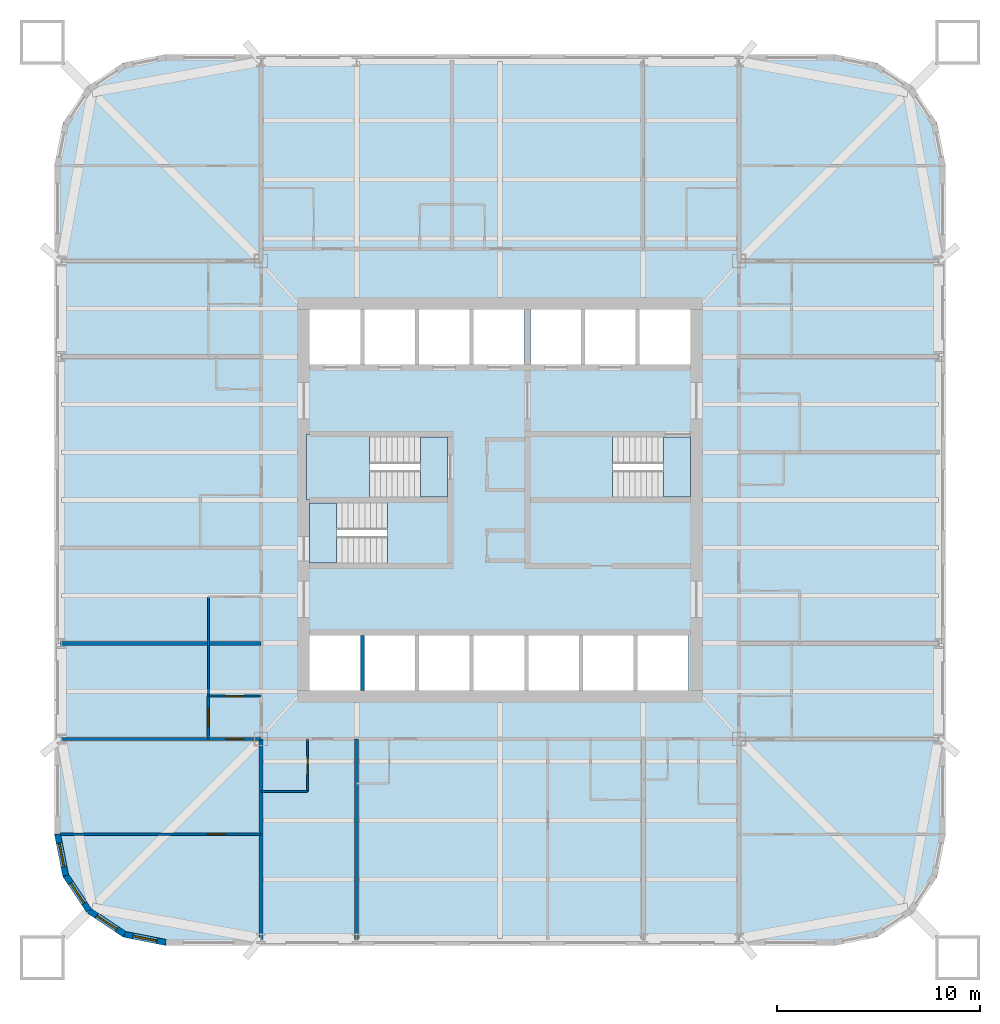
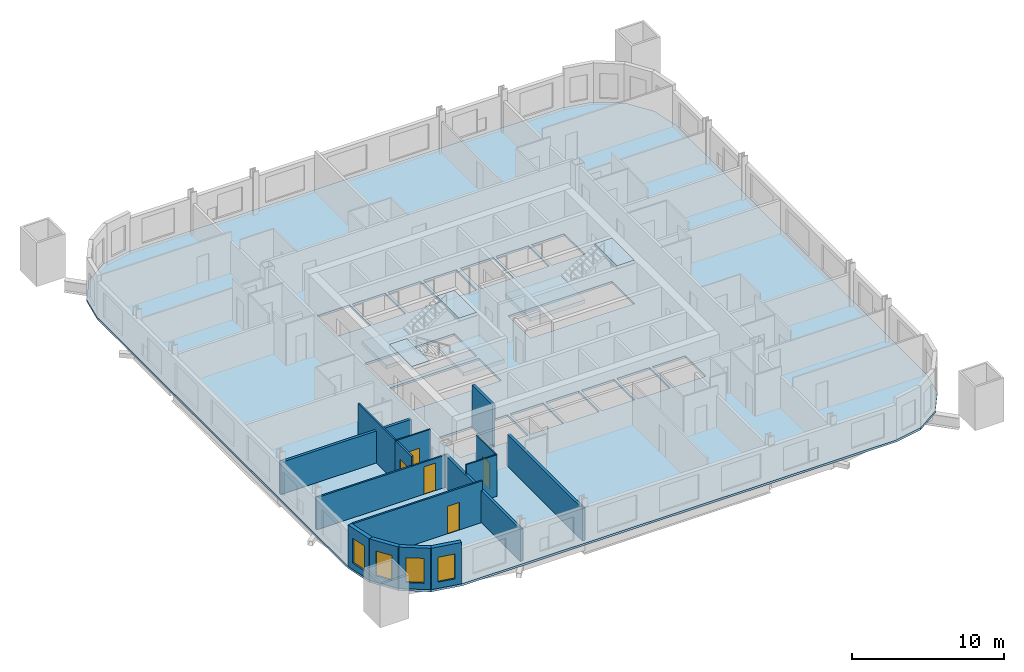
# One storey, part 2 of 10: 15 walls, 7 slabs, 5 doors, 4 windows, 9 openings, 3 elements without a shape of their own.
"""IFC4 building model written with IfcOpenShell, lengths in metres."""

from ifc_helpers import new_model, si_unit, direction, frame, frame_2d, origin, place, context, subcontext, project, spatial, polyline, rectangle, outline, extrude, material, layer, layer_set, type_object, element, fill, aggregate, save


model = new_model("IFC4")

# Units and contexts
model_context = context("Model", 3, precision=1e-05, world=origin(), true_north=direction((0.0, 1.0)))
body_context = subcontext(model_context, "Body", "Model", "MODEL_VIEW")
ifc_project = project(units=[si_unit("LENGTHUNIT", "METRE"), si_unit("AREAUNIT", "SQUARE_METRE"), si_unit("VOLUMEUNIT", "CUBIC_METRE"), si_unit("PLANEANGLEUNIT", "RADIAN"), si_unit("MASSUNIT", "GRAM", prefix="KILO")], contexts=[model_context])

# Site, building, storey
site_placement = place(None, origin())
site = spatial("IfcSite", under=ifc_project, at=site_placement, CompositionType="ELEMENT")
building_placement = place(site_placement, origin())
building = spatial("IfcBuilding", under=site, at=building_placement, Name="Turquesa Mirador Hotel Tower", CompositionType="ELEMENT")
storey_placement = place(building_placement, frame((0.0, 0.0, 39.0)))
storey = spatial("IfcBuildingStorey", under=building, at=storey_placement, Name="L09", CompositionType="ELEMENT", Elevation=39.0)

# Slab
ifc_material_1 = material(Name="Concrete C28/35", Category="concrete")
ifc_layer_1 = layer(ifc_material_1, 0.169921875)
ifc_layer_set_1 = layer_set([ifc_layer_1], Name="COMPOSITE FLOOR SLAB 170")
slab_type_1 = type_object("IfcSlabType", Name="COMPOSITE FLOOR SLAB 170", PredefinedType="FLOOR", material=ifc_layer_set_1)
slab_1_placement = place(storey_placement, frame((0.0, 0.0, -0.169921875)))
element("IfcSlab", 1, at=slab_1_placement, inside=storey, type_object=slab_type_1, Name="Floor slab L09", PredefinedType="FLOOR", context=body_context, shape_type="SweptSolid", body=[
    extrude(outline(polyline([(71.5, 23.0), (73.604736328125, 23.418701171875), (75.38916015625, 24.61083984375), (76.581298828125, 26.395263671875), (77.0, 28.5), (77.0, 61.5), (76.581298828125, 63.604736328125), (75.38916015625, 65.38916015625), (73.604736328125, 66.581298828125), (71.5, 67.0), (38.5, 67.0), (36.395263671875, 66.581298828125), (34.61083984375, 65.38916015625), (33.418701171875, 63.604736328125), (33.0, 61.5), (33.0, 28.5), (33.418701171875, 26.395263671875), (34.61083984375, 24.61083984375), (36.395263671875, 23.418701171875), (38.5, 23.0), (71.5, 23.0)]), holes=[polyline([(45.60009765625, 51.699951171875), (48.10009765625, 51.699951171875), (48.10009765625, 54.39990234375), (45.60009765625, 54.39990234375), (45.60009765625, 51.699951171875)]), polyline([(48.300048828125, 51.699951171875), (50.800048828125, 51.699951171875), (50.800048828125, 54.39990234375), (48.300048828125, 54.39990234375), (48.300048828125, 51.699951171875)]), polyline([(51.0, 51.699951171875), (53.5, 51.699951171875), (53.5, 54.39990234375), (51.0, 54.39990234375), (51.0, 51.699951171875)]), polyline([(53.699951171875, 51.699951171875), (56.199951171875, 51.699951171875), (56.199951171875, 54.39990234375), (53.699951171875, 54.39990234375), (53.699951171875, 51.699951171875)]), polyline([(56.5, 51.699951171875), (59.0, 51.699951171875), (59.0, 54.39990234375), (56.5, 54.39990234375), (56.5, 51.699951171875)]), polyline([(59.199951171875, 51.699951171875), (61.699951171875, 51.699951171875), (61.699951171875, 54.39990234375), (59.199951171875, 54.39990234375), (59.199951171875, 51.699951171875)]), polyline([(45.60009765625, 35.60009765625), (48.10009765625, 35.60009765625), (48.10009765625, 38.300048828125), (45.60009765625, 38.300048828125), (45.60009765625, 35.60009765625)]), polyline([(48.300048828125, 35.60009765625), (50.800048828125, 35.60009765625), (50.800048828125, 38.300048828125), (48.300048828125, 38.300048828125), (48.300048828125, 35.60009765625)]), polyline([(51.0, 35.60009765625), (53.5, 35.60009765625), (53.5, 38.300048828125), (51.0, 38.300048828125), (51.0, 35.60009765625)]), polyline([(53.699951171875, 35.60009765625), (56.199951171875, 35.60009765625), (56.199951171875, 38.300048828125), (53.699951171875, 38.300048828125), (53.699951171875, 35.60009765625)]), polyline([(56.39990234375, 35.60009765625), (58.89990234375, 35.60009765625), (58.89990234375, 38.300048828125), (56.39990234375, 38.300048828125), (56.39990234375, 35.60009765625)]), polyline([(59.10009765625, 35.60009765625), (61.60009765625, 35.60009765625), (61.60009765625, 38.300048828125), (59.10009765625, 38.300048828125), (59.10009765625, 35.60009765625)]), polyline([(61.800048828125, 35.60009765625), (64.300048828125, 35.60009765625), (64.300048828125, 38.300048828125), (61.800048828125, 38.300048828125), (61.800048828125, 35.60009765625)]), polyline([(45.60009765625, 45.14990234375), (52.39990234375, 45.14990234375), (52.39990234375, 48.10009765625), (45.60009765625, 48.10009765625), (45.60009765625, 45.14990234375)]), polyline([(45.60009765625, 41.89990234375), (52.39990234375, 41.89990234375), (52.39990234375, 44.85009765625), (45.60009765625, 44.85009765625), (45.60009765625, 41.89990234375)]), polyline([(56.5, 45.14990234375), (64.39990234375, 45.14990234375), (64.39990234375, 48.10009765625), (56.5, 48.10009765625), (56.5, 45.14990234375)]), polyline([(61.89990234375, 51.699951171875), (64.39990234375, 51.699951171875), (64.39990234375, 54.39990234375), (61.89990234375, 54.39990234375), (61.89990234375, 51.699951171875)])]), origin(), (0.0, 0.0, 1.0), 0.169921875),
])

# Stair, slabs
ifc_material_2 = material(Name="Concrete C35/45", Category="concrete")
stair_type = type_object("IfcStairType", Name="ESCAPE STAIR CORE", PredefinedType="HALF_TURN_STAIR", material=ifc_material_2)
stair_1_placement = place(storey_placement, origin())
stair_1 = element("IfcStair", 2, at=stair_1_placement, inside=storey, type_object=stair_type, Name="Stair ST1 L09 to L10", PredefinedType="HALF_TURN_STAIR")
ifc_material_3 = material(Name="Concrete C35/45", Category="concrete")
ifc_layer_2 = layer(ifc_material_3, 0.300048828125)
ifc_layer_set_2 = layer_set([ifc_layer_2], Name="STAIR LANDING 300")
slab_type_2 = type_object("IfcSlabType", Name="STAIR LANDING 300", PredefinedType="LANDING", material=ifc_layer_set_2)
slab_2_placement = place(storey_placement, frame((0.0, 0.0, 1.449951171875)))
slab_2 = element("IfcSlab", 3, at=slab_2_placement, type_object=slab_type_2, Name="ST1 landing 1", PredefinedType="LANDING", context=body_context, shape_type="SweptSolid", body=[
    extrude(outline(polyline([(45.449951171875, 45.0), (48.550048828125, 45.0), (48.550048828125, 48.25), (45.449951171875, 48.25), (45.449951171875, 45.0)])), origin(), (0.0, 0.0, 1.0), 0.300048828125),
])
slab_3_placement = place(storey_placement, frame((0.0, 0.0, 3.199951171875)))
slab_3 = element("IfcSlab", 4, at=slab_3_placement, type_object=slab_type_2, Name="ST1 landing 2", PredefinedType="LANDING", context=body_context, shape_type="SweptSolid", body=[
    extrude(outline(polyline([(51.070068359375, 45.14990234375), (52.39990234375, 45.14990234375), (52.39990234375, 48.10009765625), (51.070068359375, 48.10009765625), (51.070068359375, 45.14990234375)])), origin(), (0.0, 0.0, 1.0), 0.300048828125),
])
aggregate(stair_1, [slab_2, slab_3])

stair_2_placement = place(storey_placement, origin())
stair_2 = element("IfcStair", 5, at=stair_2_placement, inside=storey, type_object=stair_type, Name="Stair ST2 L09 to L10", PredefinedType="HALF_TURN_STAIR")
slab_4_placement = place(storey_placement, frame((0.0, 0.0, 1.449951171875)))
slab_4 = element("IfcSlab", 6, at=slab_4_placement, type_object=slab_type_2, Name="ST2 landing 1", PredefinedType="LANDING", context=body_context, shape_type="SweptSolid", body=[
    extrude(outline(polyline([(52.550048828125, 45.0), (49.449951171875, 45.0), (49.449951171875, 41.75), (52.550048828125, 41.75), (52.550048828125, 45.0)])), origin(), (0.0, 0.0, 1.0), 0.300048828125),
])
slab_5_placement = place(storey_placement, frame((0.0, 0.0, 3.199951171875)))
slab_5 = element("IfcSlab", 7, at=slab_5_placement, type_object=slab_type_2, Name="ST2 landing 2", PredefinedType="LANDING", context=body_context, shape_type="SweptSolid", body=[
    extrude(outline(polyline([(46.929931640625, 44.85009765625), (45.60009765625, 44.85009765625), (45.60009765625, 41.89990234375), (46.929931640625, 41.89990234375), (46.929931640625, 44.85009765625)])), origin(), (0.0, 0.0, 1.0), 0.300048828125),
])
aggregate(stair_2, [slab_4, slab_5])

stair_3_placement = place(storey_placement, origin())
stair_3 = element("IfcStair", 8, at=stair_3_placement, inside=storey, type_object=stair_type, Name="Stair ST3 L09 to L10", PredefinedType="HALF_TURN_STAIR")
slab_6_placement = place(storey_placement, frame((0.0, 0.0, 1.449951171875)))
slab_6 = element("IfcSlab", 9, at=slab_6_placement, type_object=slab_type_2, Name="ST3 landing 1", PredefinedType="LANDING", context=body_context, shape_type="SweptSolid", body=[
    extrude(outline(polyline([(56.35009765625, 45.0), (60.550048828125, 45.0), (60.550048828125, 48.25), (56.35009765625, 48.25), (56.35009765625, 45.0)])), origin(), (0.0, 0.0, 1.0), 0.300048828125),
])
slab_7_placement = place(storey_placement, frame((0.0, 0.0, 3.199951171875)))
slab_7 = element("IfcSlab", 10, at=slab_7_placement, type_object=slab_type_2, Name="ST3 landing 2", PredefinedType="LANDING", context=body_context, shape_type="SweptSolid", body=[
    extrude(outline(polyline([(63.070068359375, 45.14990234375), (64.39990234375, 45.14990234375), (64.39990234375, 48.10009765625), (63.070068359375, 48.10009765625), (63.070068359375, 45.14990234375)])), origin(), (0.0, 0.0, 1.0), 0.300048828125),
])
aggregate(stair_3, [slab_6, slab_7])

# Wall
ifc_material_4 = material(Name="Gypsum board on steel studs", Category="steel")
ifc_layer_3 = layer(ifc_material_4, 0.10009765625)
ifc_layer_set_3 = layer_set([ifc_layer_3], Name="BATHROOM WALL 100")
wall_type_1 = type_object("IfcWallType", Name="BATHROOM WALL 100", PredefinedType="PARTITIONING", material=ifc_layer_set_3)
wall_1_placement = place(storey_placement, frame((43.199951171875, 30.60009765625, 0.0), z_axis=(0.0, 0.0, 1.0), x_axis=(1.0, 0.0, 0.0)))
element("IfcWall", 11, at=wall_1_placement, inside=storey, type_object=wall_type_1, Name="Partition L09 006", PredefinedType="PARTITIONING", context=body_context, shape_type="SweptSolid", body=[
    extrude(rectangle(XDim=2.300048828125, YDim=0.10009765625, at=frame_2d((1.14990234375, 0.0))), origin(), (0.0, 0.0, 1.0), 3.330078125),
])

# Wall, opening, door
wall_2_placement = place(storey_placement, frame((40.60009765625, 35.320068359375, 0.0), z_axis=(0.0, 0.0, 1.0), x_axis=(1.0, 0.0, 0.0)))
wall_2 = element("IfcWall", 12, at=wall_2_placement, inside=storey, type_object=wall_type_1, Name="Partition L09 016", PredefinedType="PARTITIONING", context=body_context, shape_type="SweptSolid", body=[
    extrude(rectangle(XDim=2.599853515625, YDim=0.10009765625, at=frame_2d((1.2998046875, 0.0))), origin(), (0.0, 0.0, 1.0), 3.330078125),
])
opening_1_placement = place(wall_2_placement, frame((0.85009765625, 0.0, 0.0)))
opening_1 = element("IfcOpeningElement", 13, at=opening_1_placement, cuts=wall_2, Name="Opening D02", PredefinedType="OPENING", context=body_context, shape_type="SweptSolid", body=[
    extrude(rectangle(XDim=0.89990234375, YDim=2.10009765625, at=frame_2d((0.449951171875, 1.050048828125))), frame((0.0, 0.06005859375, 0.0), z_axis=(0.0, -1.0, 0.0), x_axis=(1.0, 0.0, 0.0)), (0.0, 0.0, 1.0), 0.1201171875),
])
ifc_material_5 = material(Name="Timber veneered door", Category="wood")
door_type_1 = type_object("IfcDoorType", Name="DOOR 900X2100 EN-SUITE", OperationType="SINGLE_SWING_RIGHT", PredefinedType="DOOR", material=ifc_material_5)
door_1_placement = place(opening_1_placement, origin())
door_1 = element("IfcDoor", 14, at=door_1_placement, inside=storey, type_object=door_type_1, Name="Door 0912B", OperationType="SINGLE_SWING_RIGHT", OverallHeight=2.10009765625, OverallWidth=0.89990234375, PredefinedType="DOOR", context=body_context, shape_type="SweptSolid", body=[
    extrude(rectangle(XDim=0.89990234375, YDim=2.10009765625, at=frame_2d((0.449951171875, 1.050048828125))), frame((0.0, 0.02490234375, 0.0), z_axis=(0.0, -1.0, 0.0), x_axis=(1.0, 0.0, 0.0)), (0.0, 0.0, 1.0), 0.050048828125),
])
fill(opening_1, door_1)

# Wall
wall_3_placement = place(storey_placement, frame((40.60009765625, 35.320068359375, 0.0), z_axis=(0.0, 0.0, 1.0), x_axis=(0.0, 1.0, 0.0)))
element("IfcWall", 15, at=wall_3_placement, inside=storey, type_object=wall_type_1, Name="Partition L09 041", PredefinedType="PARTITIONING", context=body_context, shape_type="SweptSolid", body=[
    extrude(rectangle(XDim=4.89990234375, YDim=0.10009765625, at=frame_2d((2.449951171875, 0.0))), origin(), (0.0, 0.0, 1.0), 3.330078125),
])

# Wall, opening, door
wall_4_placement = place(storey_placement, frame((45.5, 30.60009765625, 0.0), z_axis=(0.0, 0.0, 1.0), x_axis=(0.0, 1.0, 0.0)))
wall_4 = element("IfcWall", 16, at=wall_4_placement, inside=storey, type_object=wall_type_1, Name="Partition L09 051", PredefinedType="PARTITIONING", context=body_context, shape_type="SweptSolid", body=[
    extrude(rectangle(XDim=2.599853515625, YDim=0.10009765625, at=frame_2d((1.2998046875, 0.0))), origin(), (0.0, 0.0, 1.0), 3.330078125),
])
opening_2_placement = place(wall_4_placement, frame((0.85009765625, 0.0, 0.0)))
opening_2 = element("IfcOpeningElement", 17, at=opening_2_placement, cuts=wall_4, Name="Opening D02", PredefinedType="OPENING", context=body_context, shape_type="SweptSolid", body=[
    extrude(rectangle(XDim=0.89990234375, YDim=2.10009765625, at=frame_2d((0.449951171875, 1.050048828125))), frame((0.0, 0.06005859375, 0.0), z_axis=(0.0, -1.0, 0.0), x_axis=(1.0, 0.0, 0.0)), (0.0, 0.0, 1.0), 0.1201171875),
])
door_2_placement = place(opening_2_placement, origin())
door_2 = element("IfcDoor", 18, at=door_2_placement, inside=storey, type_object=door_type_1, Name="Door 0903B", OperationType="SINGLE_SWING_RIGHT", OverallHeight=2.10009765625, OverallWidth=0.89990234375, PredefinedType="DOOR", context=body_context, shape_type="SweptSolid", body=[
    extrude(rectangle(XDim=0.89990234375, YDim=2.10009765625, at=frame_2d((0.449951171875, 1.050048828125))), frame((0.0, 0.02490234375, 0.0), z_axis=(0.0, -1.0, 0.0), x_axis=(1.0, 0.0, 0.0)), (0.0, 0.0, 1.0), 0.050048828125),
])
fill(opening_2, door_2)

# Wall, opening, window
ifc_material_6 = material(Name="Limestone cladding on concrete block", Category="masonry")
ifc_layer_4 = layer(ifc_material_6, 0.300048828125)
ifc_layer_set_4 = layer_set([ifc_layer_4], Name="FACADE WALL 300 STONE SCREEN")
wall_type_2 = type_object("IfcWallType", Name="FACADE WALL 300 STONE SCREEN", PredefinedType="SOLIDWALL", material=ifc_layer_set_4)
wall_5_placement = place(storey_placement, frame((33.14990234375, 28.5, 0.0), z_axis=(0.0, 0.0, 1.0), x_axis=(0.195081421501, -0.980787050784, 0.0)))
wall_5 = element("IfcWall", 19, at=wall_5_placement, inside=storey, type_object=wall_type_2, Name="Facade wall L09 15", PredefinedType="SOLIDWALL", context=body_context, shape_type="SweptSolid", body=[
    extrude(rectangle(XDim=2.08740234375, YDim=0.300048828125, at=frame_2d((1.043701171875, 0.0))), origin(), (0.0, 0.0, 1.0), 3.330078125),
])
opening_3_placement = place(wall_5_placement, frame((0.443603515625, 0.0, 0.5)))
opening_3 = element("IfcOpeningElement", 20, at=opening_3_placement, cuts=wall_5, Name="Opening WN4", PredefinedType="OPENING", context=body_context, shape_type="SweptSolid", body=[
    extrude(rectangle(XDim=1.199951171875, YDim=2.0, at=frame_2d((0.60009765625, 1.0))), frame((0.0, 0.159912109375, 0.0), z_axis=(0.0, -1.0, 0.0), x_axis=(1.0, 0.0, 0.0)), (0.0, 0.0, 1.0), 0.320068359375),
])
ifc_material_7 = material(Name="Ceramic-fritted laminated glass", Category="glass")
window_type = type_object("IfcWindowType", Name="FRITTED CORNER WINDOW 1200X2000", PartitioningType="DOUBLE_PANEL_HORIZONTAL", PredefinedType="WINDOW", material=ifc_material_7)
window_1_placement = place(opening_3_placement, origin())
window_1 = element("IfcWindow", 21, at=window_1_placement, inside=storey, type_object=window_type, Name="Window L09", OverallHeight=2.0, OverallWidth=1.199951171875, PartitioningType="SINGLE_PANEL", PredefinedType="WINDOW", context=body_context, shape_type="SweptSolid", body=[
    extrude(rectangle(XDim=1.199951171875, YDim=2.0, at=frame_2d((0.60009765625, 1.0))), frame((0.0, 0.030029296875, 0.0), z_axis=(0.0, -1.0, 0.0), x_axis=(1.0, 0.0, 0.0)), (0.0, 0.0, 1.0), 0.06005859375),
])
fill(opening_3, window_1)

wall_6_placement = place(storey_placement, frame((33.55712890625, 26.45263671875, 0.0), z_axis=(0.0, 0.0, 1.0), x_axis=(0.555644460423, -0.831420010345, 0.0)))
wall_6 = element("IfcWall", 22, at=wall_6_placement, inside=storey, type_object=wall_type_2, Name="Facade wall L09 16", PredefinedType="SOLIDWALL", context=body_context, shape_type="SweptSolid", body=[
    extrude(rectangle(XDim=2.08740234375, YDim=0.300048828125, at=frame_2d((1.043701171875, 0.0))), origin(), (0.0, 0.0, 1.0), 3.330078125),
])
opening_4_placement = place(wall_6_placement, frame((0.443603515625, 0.0, 0.5)))
opening_4 = element("IfcOpeningElement", 23, at=opening_4_placement, cuts=wall_6, Name="Opening WN4", PredefinedType="OPENING", context=body_context, shape_type="SweptSolid", body=[
    extrude(rectangle(XDim=1.199951171875, YDim=2.0, at=frame_2d((0.60009765625, 1.0))), frame((0.0, 0.159912109375, 0.0), z_axis=(0.0, -1.0, 0.0), x_axis=(1.0, 0.0, 0.0)), (0.0, 0.0, 1.0), 0.320068359375),
])
window_2_placement = place(opening_4_placement, origin())
window_2 = element("IfcWindow", 24, at=window_2_placement, inside=storey, type_object=window_type, Name="Window L09", OverallHeight=2.0, OverallWidth=1.199951171875, PartitioningType="SINGLE_PANEL", PredefinedType="WINDOW", context=body_context, shape_type="SweptSolid", body=[
    extrude(rectangle(XDim=1.199951171875, YDim=2.0, at=frame_2d((0.60009765625, 1.0))), frame((0.0, 0.030029296875, 0.0), z_axis=(0.0, -1.0, 0.0), x_axis=(1.0, 0.0, 0.0)), (0.0, 0.0, 1.0), 0.06005859375),
])
fill(opening_4, window_2)

wall_7_placement = place(storey_placement, frame((34.717041015625, 24.717041015625, 0.0), z_axis=(0.0, 0.0, 1.0), x_axis=(0.831420010345, -0.555644460423, 0.0)))
wall_7 = element("IfcWall", 25, at=wall_7_placement, inside=storey, type_object=wall_type_2, Name="Facade wall L09 17", PredefinedType="SOLIDWALL", context=body_context, shape_type="SweptSolid", body=[
    extrude(rectangle(XDim=2.08740234375, YDim=0.300048828125, at=frame_2d((1.043701171875, 0.0))), origin(), (0.0, 0.0, 1.0), 3.330078125),
])
opening_5_placement = place(wall_7_placement, frame((0.443603515625, 0.0, 0.5)))
opening_5 = element("IfcOpeningElement", 26, at=opening_5_placement, cuts=wall_7, Name="Opening WN4", PredefinedType="OPENING", context=body_context, shape_type="SweptSolid", body=[
    extrude(rectangle(XDim=1.199951171875, YDim=2.0, at=frame_2d((0.60009765625, 1.0))), frame((0.0, 0.159912109375, 0.0), z_axis=(0.0, -1.0, 0.0), x_axis=(1.0, 0.0, 0.0)), (0.0, 0.0, 1.0), 0.320068359375),
])
window_3_placement = place(opening_5_placement, origin())
window_3 = element("IfcWindow", 27, at=window_3_placement, inside=storey, type_object=window_type, Name="Window L09", OverallHeight=2.0, OverallWidth=1.199951171875, PartitioningType="SINGLE_PANEL", PredefinedType="WINDOW", context=body_context, shape_type="SweptSolid", body=[
    extrude(rectangle(XDim=1.199951171875, YDim=2.0, at=frame_2d((0.60009765625, 1.0))), frame((0.0, 0.030029296875, 0.0), z_axis=(0.0, -1.0, 0.0), x_axis=(1.0, 0.0, 0.0)), (0.0, 0.0, 1.0), 0.06005859375),
])
fill(opening_5, window_3)

wall_8_placement = place(storey_placement, frame((36.45263671875, 23.55712890625, 0.0), z_axis=(0.0, 0.0, 1.0), x_axis=(0.980787050784, -0.195081421501, 0.0)))
wall_8 = element("IfcWall", 28, at=wall_8_placement, inside=storey, type_object=wall_type_2, Name="Facade wall L09 18", PredefinedType="SOLIDWALL", context=body_context, shape_type="SweptSolid", body=[
    extrude(rectangle(XDim=2.08740234375, YDim=0.300048828125, at=frame_2d((1.043701171875, 0.0))), origin(), (0.0, 0.0, 1.0), 3.330078125),
])
opening_6_placement = place(wall_8_placement, frame((0.443603515625, 0.0, 0.5)))
opening_6 = element("IfcOpeningElement", 29, at=opening_6_placement, cuts=wall_8, Name="Opening WN4", PredefinedType="OPENING", context=body_context, shape_type="SweptSolid", body=[
    extrude(rectangle(XDim=1.199951171875, YDim=2.0, at=frame_2d((0.60009765625, 1.0))), frame((0.0, 0.159912109375, 0.0), z_axis=(0.0, -1.0, 0.0), x_axis=(1.0, 0.0, 0.0)), (0.0, 0.0, 1.0), 0.320068359375),
])
window_4_placement = place(opening_6_placement, origin())
window_4 = element("IfcWindow", 30, at=window_4_placement, inside=storey, type_object=window_type, Name="Window L09", OverallHeight=2.0, OverallWidth=1.199951171875, PartitioningType="SINGLE_PANEL", PredefinedType="WINDOW", context=body_context, shape_type="SweptSolid", body=[
    extrude(rectangle(XDim=1.199951171875, YDim=2.0, at=frame_2d((0.60009765625, 1.0))), frame((0.0, 0.030029296875, 0.0), z_axis=(0.0, -1.0, 0.0), x_axis=(1.0, 0.0, 0.0)), (0.0, 0.0, 1.0), 0.06005859375),
])
fill(opening_6, window_4)

# Walls
ifc_material_8 = material(Name="Fire-rated gypsum shaft wall on steel studs", Category="steel")
ifc_layer_5 = layer(ifc_material_8, 0.199951171875)
ifc_layer_set_5 = layer_set([ifc_layer_5], Name="LIFT SHAFT DIVIDER 200")
wall_type_3 = type_object("IfcWallType", Name="LIFT SHAFT DIVIDER 200", PredefinedType="PARTITIONING", material=ifc_layer_set_5)
wall_9_placement = place(storey_placement, frame((48.199951171875, 35.60009765625, 0.0), z_axis=(0.0, 0.0, 1.0), x_axis=(0.0, 1.0, 0.0)))
element("IfcWall", 31, at=wall_9_placement, inside=storey, type_object=wall_type_3, Name="Lift shaft divider", PredefinedType="PARTITIONING", context=body_context, shape_type="SweptSolid", body=[
    extrude(rectangle(XDim=2.699951171875, YDim=0.199951171875, at=frame_2d((1.35009765625, 0.0))), origin(), (0.0, 0.0, 1.0), 3.330078125),
])
ifc_material_9 = material(Name="Fire-rated gypsum board on steel studs", Category="steel")
ifc_layer_6 = layer(ifc_material_9, 0.199951171875)
ifc_layer_set_6 = layer_set([ifc_layer_6], Name="PARTY WALL 200")
wall_type_4 = type_object("IfcWallType", Name="PARTY WALL 200", PredefinedType="PARTITIONING", material=ifc_layer_set_6)
for number, where, z_axis, x_axis, name in (
    (32, (33.300048828125, 37.919921875, 0.0), (0.0, 0.0, 1.0), (1.0, 0.0, 0.0), "Partition L09 014"),
    (33, (43.199951171875, 23.300048828125, 0.0), (0.0, 0.0, 1.0), (0.0, 1.0, 0.0), "Partition L09 038"),
    (34, (47.919921875, 23.300048828125, 0.0), (0.0, 0.0, 1.0), (0.0, 1.0, 0.0), "Partition L09 049"),
):
    element("IfcWall", number, at=place(storey_placement, frame(where, z_axis=z_axis, x_axis=x_axis)), inside=storey, type_object=wall_type_4, Name=name, PredefinedType="PARTITIONING", context=body_context, shape_type="SweptSolid", body=[
        extrude(rectangle(XDim=9.89990234375, YDim=0.199951171875, at=frame_2d((4.949951171875, 0.0))), origin(), (0.0, 0.0, 1.0), 2.572998046875),
    ])

# Wall, opening, door
ifc_material_10 = material(Name="Acoustic gypsum board on steel studs", Category="steel")
ifc_layer_7 = layer(ifc_material_10, 0.125)
ifc_layer_set_7 = layer_set([ifc_layer_7], Name="SUITE PARTITION 125")
wall_type_5 = type_object("IfcWallType", Name="SUITE PARTITION 125", PredefinedType="PARTITIONING", material=ifc_layer_set_7)
wall_10_placement = place(storey_placement, frame((33.300048828125, 33.199951171875, 0.0), z_axis=(0.0, 0.0, 1.0), x_axis=(1.0, 0.0, 0.0)))
wall_10 = element("IfcWall", 35, at=wall_10_placement, inside=storey, type_object=wall_type_5, Name="Partition L09 002", PredefinedType="PARTITIONING", context=body_context, shape_type="SweptSolid", body=[
    extrude(rectangle(XDim=9.89990234375, YDim=0.125, at=frame_2d((4.949951171875, 0.0))), origin(), (0.0, 0.0, 1.0), 2.572998046875),
])
opening_7_placement = place(wall_10_placement, frame((8.14990234375, 0.0, 0.0)))
opening_7 = element("IfcOpeningElement", 36, at=opening_7_placement, cuts=wall_10, Name="Opening D17", PredefinedType="OPENING", context=body_context, shape_type="SweptSolid", body=[
    extrude(rectangle(XDim=0.89990234375, YDim=2.199951171875, at=frame_2d((0.449951171875, 1.10009765625))), frame((0.0, 0.072509765625, 0.0), z_axis=(0.0, -1.0, 0.0), x_axis=(1.0, 0.0, 0.0)), (0.0, 0.0, 1.0), 0.14501953125),
])
ifc_material_11 = material(Name="Timber veneered door", Category="wood")
door_type_2 = type_object("IfcDoorType", Name="DOOR 900X2200 SUITE INTERNAL", OperationType="SINGLE_SWING_LEFT", PredefinedType="DOOR", material=ifc_material_11)
door_3_placement = place(opening_7_placement, origin())
door_3 = element("IfcDoor", 37, at=door_3_placement, inside=storey, type_object=door_type_2, Name="Door 0912", OperationType="SINGLE_SWING_LEFT", OverallHeight=2.199951171875, OverallWidth=0.89990234375, PredefinedType="DOOR", context=body_context, shape_type="SweptSolid", body=[
    extrude(rectangle(XDim=0.89990234375, YDim=2.199951171875, at=frame_2d((0.449951171875, 1.10009765625))), frame((0.0, 0.02490234375, 0.0), z_axis=(0.0, -1.0, 0.0), x_axis=(1.0, 0.0, 0.0)), (0.0, 0.0, 1.0), 0.050048828125),
])
fill(opening_7, door_3)

wall_11_placement = place(storey_placement, frame((33.305908203125, 28.5, 0.0), z_axis=(0.0, 0.0, 1.0), x_axis=(1.0, 0.0, 0.0)))
wall_11 = element("IfcWall", 38, at=wall_11_placement, inside=storey, type_object=wall_type_5, Name="Partition L09 009", PredefinedType="PARTITIONING", context=body_context, shape_type="SweptSolid", body=[
    extrude(rectangle(XDim=9.89404296875, YDim=0.125, at=frame_2d((4.947021484375, 0.0))), origin(), (0.0, 0.0, 1.0), 3.330078125),
])
opening_8_placement = place(wall_11_placement, frame((7.244140625, 0.0, 0.0)))
opening_8 = element("IfcOpeningElement", 39, at=opening_8_placement, cuts=wall_11, Name="Opening D17", PredefinedType="OPENING", context=body_context, shape_type="SweptSolid", body=[
    extrude(rectangle(XDim=0.89990234375, YDim=2.199951171875, at=frame_2d((0.449951171875, 1.10009765625))), frame((0.0, 0.072509765625, 0.0), z_axis=(0.0, -1.0, 0.0), x_axis=(1.0, 0.0, 0.0)), (0.0, 0.0, 1.0), 0.14501953125),
])
door_4_placement = place(opening_8_placement, origin())
door_4 = element("IfcDoor", 40, at=door_4_placement, inside=storey, type_object=door_type_2, Name="Door 0912M", OperationType="SINGLE_SWING_LEFT", OverallHeight=2.199951171875, OverallWidth=0.89990234375, PredefinedType="DOOR", context=body_context, shape_type="SweptSolid", body=[
    extrude(rectangle(XDim=0.89990234375, YDim=2.199951171875, at=frame_2d((0.449951171875, 1.10009765625))), frame((0.0, 0.02490234375, 0.0), z_axis=(0.0, -1.0, 0.0), x_axis=(1.0, 0.0, 0.0)), (0.0, 0.0, 1.0), 0.050048828125),
])
fill(opening_8, door_4)

wall_12_placement = place(storey_placement, frame((40.60009765625, 33.199951171875, 0.0), z_axis=(0.0, 0.0, 1.0), x_axis=(0.0, 1.0, 0.0)))
wall_12 = element("IfcWall", 41, at=wall_12_placement, inside=storey, type_object=wall_type_5, Name="Partition L09 043", PredefinedType="PARTITIONING", context=body_context, shape_type="SweptSolid", body=[
    extrude(rectangle(XDim=2.1201171875, YDim=0.125, at=frame_2d((1.06005859375, 0.0))), origin(), (0.0, 0.0, 1.0), 3.330078125),
])
opening_9_placement = place(wall_12_placement, frame((0.610107421875, 0.0, 0.0)))
opening_9 = element("IfcOpeningElement", 42, at=opening_9_placement, cuts=wall_12, Name="Opening D17", PredefinedType="OPENING", context=body_context, shape_type="SweptSolid", body=[
    extrude(rectangle(XDim=0.89990234375, YDim=2.199951171875, at=frame_2d((0.449951171875, 1.10009765625))), frame((0.0, 0.072509765625, 0.0), z_axis=(0.0, -1.0, 0.0), x_axis=(1.0, 0.0, 0.0)), (0.0, 0.0, 1.0), 0.14501953125),
])
door_5_placement = place(opening_9_placement, origin())
door_5 = element("IfcDoor", 43, at=door_5_placement, inside=storey, type_object=door_type_2, Name="Door 0912R", OperationType="SINGLE_SWING_LEFT", OverallHeight=2.199951171875, OverallWidth=0.89990234375, PredefinedType="DOOR", context=body_context, shape_type="SweptSolid", body=[
    extrude(rectangle(XDim=0.89990234375, YDim=2.199951171875, at=frame_2d((0.449951171875, 1.10009765625))), frame((0.0, 0.02490234375, 0.0), z_axis=(0.0, -1.0, 0.0), x_axis=(1.0, 0.0, 0.0)), (0.0, 0.0, 1.0), 0.050048828125),
])
fill(opening_9, door_5)

save(model, "model.ifc")
